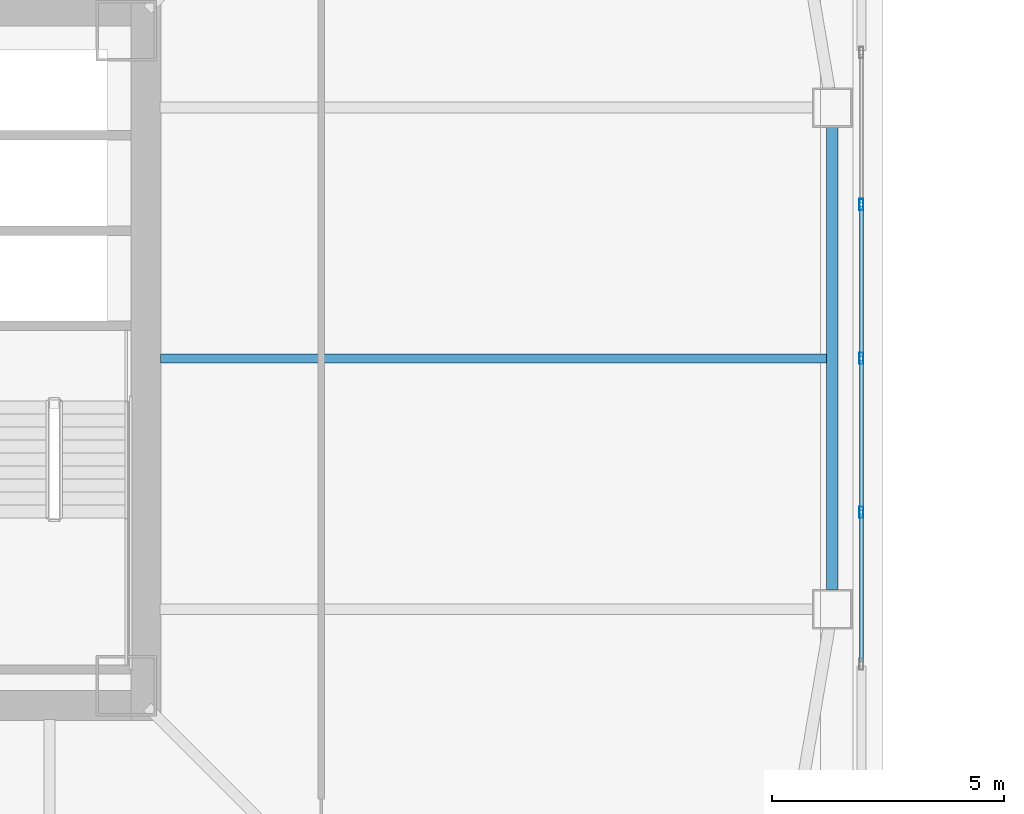
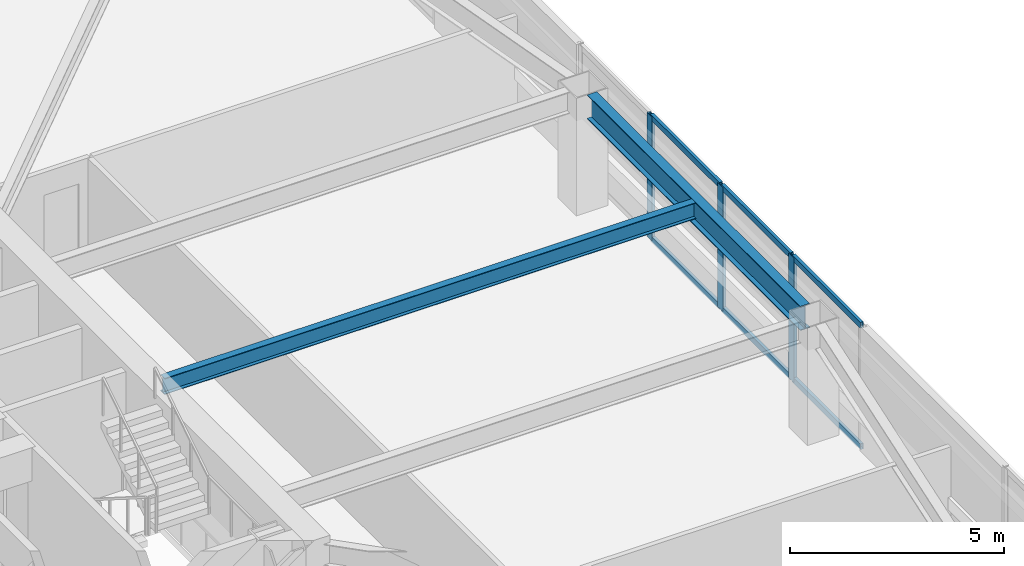
# One storey, part 10 of 47: 9 members, 2 beams, 1 element without a shape of its own.
"""IFC4 building model written with IfcOpenShell, lengths in metres."""

from ifc_helpers import new_model, si_unit, direction, frame, origin, origin_2d, place, context, subcontext, project, spatial, hollow_rectangle, i_section, extrude, material, material_profile, profile_set, type_object, element, aggregate, save


model = new_model("IFC4")

# Units and contexts
model_context = context("Model", 3, precision=1e-05, world=origin(), true_north=direction((0.0, 1.0)))
body_context = subcontext(model_context, "Body", "Model", "MODEL_VIEW")
ifc_project = project(units=[si_unit("LENGTHUNIT", "METRE"), si_unit("AREAUNIT", "SQUARE_METRE"), si_unit("VOLUMEUNIT", "CUBIC_METRE"), si_unit("PLANEANGLEUNIT", "RADIAN"), si_unit("MASSUNIT", "GRAM", prefix="KILO")], contexts=[model_context])

# Site, building, storey
site_placement = place(None, origin())
site = spatial("IfcSite", under=ifc_project, at=site_placement, CompositionType="ELEMENT")
building_placement = place(site_placement, origin())
building = spatial("IfcBuilding", under=site, at=building_placement, Name="Tashvorn Skyway Center", CompositionType="ELEMENT")
storey_placement = place(building_placement, frame((0.0, 0.0, 42.35009765625)))
storey = spatial("IfcBuildingStorey", under=building, at=storey_placement, Name="L10", CompositionType="ELEMENT", Elevation=42.35009765625)

# Beams
ifc_material_1 = material(Name="Steel ASTM A992 Grade 50", Category="steel")
ifc_material_profile_1 = material_profile(ifc_material_1, i_section(OverallWidth=0.19091796875, OverallDepth=0.4599609375, WebThickness=0.010009765625, FlangeThickness=0.01611328125, at=origin_2d()), Name="W18X55")
ifc_profile_set_1 = profile_set([ifc_material_profile_1], Name="Steel ASTM A992 Grade 50")
beam_type_1 = type_object("IfcBeamType", Name="BM-JOIST-W18X55", PredefinedType="JOIST", material=ifc_profile_set_1)
beam_1_placement = place(storey_placement, frame((49.7900390625, 32.0, 3.119873046875), z_axis=(1.0, 0.0, 0.0), x_axis=(0.0, 1.0, 0.0)))
element("IfcBeam", 1, at=beam_1_placement, inside=storey, type_object=beam_type_1, Name="Tower 1 L10 Secondary Composite Joist JE", PredefinedType="JOIST", context=body_context, shape_type="SweptSolid", body=[
    extrude(i_section(OverallWidth=0.19091796875, OverallDepth=0.4599609375, WebThickness=0.010009765625, FlangeThickness=0.01611328125, at=origin_2d()), origin(), (0.0, 0.0, 1.0), 14.33984375),
])
ifc_material_profile_2 = material_profile(ifc_material_1, i_section(OverallWidth=0.256103515625, OverallDepth=0.693115234375, WebThickness=0.014404296875, FlangeThickness=0.023681640625, at=origin_2d()), Name="W27X114")
ifc_profile_set_2 = profile_set([ifc_material_profile_2], Name="Steel ASTM A992 Grade 50")
beam_type_2 = type_object("IfcBeamType", Name="BM-SPANDREL-W27X114", PredefinedType="SPANDREL", material=ifc_profile_set_2)
beam_2_placement = place(storey_placement, frame((64.25, 27.02001953125, 3.00341796875), z_axis=(0.0, 1.0, 0.0), x_axis=(-1.0, 0.0, 0.0)))
element("IfcBeam", 2, at=beam_2_placement, inside=storey, type_object=beam_type_2, Name="Tower 1 L10 Spandrel Beam 05", PredefinedType="SPANDREL", context=body_context, shape_type="SweptSolid", body=[
    extrude(i_section(OverallWidth=0.256103515625, OverallDepth=0.693115234375, WebThickness=0.014404296875, FlangeThickness=0.023681640625, at=origin_2d()), origin(), (0.0, 0.0, 1.0), 9.9599609375),
])

# Curtain wall, members
ifc_material_2 = material(Name="Thermally broken bronze-anodized aluminium 6063-T6", Category="aluminium")
curtain_wall_type = type_object("IfcCurtainWallType", Name="CW-CW-Z1", PredefinedType="NOTDEFINED", material=ifc_material_2)
curtain_wall_placement = place(storey_placement, origin())
curtain_wall = element("IfcCurtainWall", 3, at=curtain_wall_placement, inside=storey, type_object=curtain_wall_type, Name="Tower 1 L10 East Unitised Curtain Wall Glazing Group 2", PredefinedType="NOTDEFINED")
ifc_material_profile_3 = material_profile(ifc_material_2, hollow_rectangle(XDim=0.0849609375, YDim=0.239990234375, WallThickness=0.0048828125, at=origin_2d()), Name="ALU-MULL-85x240")
ifc_profile_set_3 = profile_set([ifc_material_profile_3], Name="Thermally broken bronze-anodized aluminium 6063-T6")
member_type_1 = type_object("IfcMemberType", Name="CWM-CW-Z1", PredefinedType="MULLION", material=ifc_profile_set_3)
member_1_placement = place(storey_placement, frame((64.8798828125, 35.313232421875, 0.0), z_axis=(0.0, 0.0, 1.0), x_axis=(1.0, 0.0, 0.0)))
member_1 = element("IfcMember", 4, at=member_1_placement, type_object=member_type_1, Name="CW-Z1 mullion 2", PredefinedType="MULLION", context=body_context, shape_type="SweptSolid", body=[
    extrude(hollow_rectangle(XDim=0.0849609375, YDim=0.239990234375, WallThickness=0.0048828125, at=origin_2d()), origin(), (0.0, 0.0, 1.0), 3.5498046875),
])
member_2_placement = place(storey_placement, frame((64.8798828125, 32.0, 0.0), z_axis=(0.0, 0.0, 1.0), x_axis=(1.0, 0.0, 0.0)))
member_2 = element("IfcMember", 5, at=member_2_placement, type_object=member_type_1, Name="CW-Z1 mullion 3", PredefinedType="MULLION", context=body_context, shape_type="SweptSolid", body=[
    extrude(hollow_rectangle(XDim=0.0849609375, YDim=0.239990234375, WallThickness=0.0048828125, at=origin_2d()), origin(), (0.0, 0.0, 1.0), 3.5498046875),
])
member_3_placement = place(storey_placement, frame((64.8798828125, 28.686767578125, 0.0), z_axis=(0.0, 0.0, 1.0), x_axis=(1.0, 0.0, 0.0)))
member_3 = element("IfcMember", 6, at=member_3_placement, type_object=member_type_1, Name="CW-Z1 mullion 4", PredefinedType="MULLION", context=body_context, shape_type="SweptSolid", body=[
    extrude(hollow_rectangle(XDim=0.0849609375, YDim=0.239990234375, WallThickness=0.0048828125, at=origin_2d()), origin(), (0.0, 0.0, 1.0), 3.5498046875),
])
ifc_material_profile_4 = material_profile(ifc_material_2, hollow_rectangle(XDim=0.0849609375, YDim=0.1650390625, WallThickness=0.0048828125, at=origin_2d()), Name="ALU-TRAN-85x165")
ifc_profile_set_4 = profile_set([ifc_material_profile_4], Name="Thermally broken bronze-anodized aluminium 6063-T6")
member_type_2 = type_object("IfcMemberType", Name="CWT-CW-Z1", PredefinedType="USERDEFINED", material=ifc_profile_set_4)
member_4_placement = place(storey_placement, frame((64.8798828125, 35.270751953125, 0.04248046875), z_axis=(0.0, -1.0, 0.0), x_axis=(1.0, 0.0, 0.0)))
member_4 = element("IfcMember", 7, at=member_4_placement, type_object=member_type_2, Name="CW-Z1 transom 2.1", ObjectType="TRANSOM", PredefinedType="USERDEFINED", context=body_context, shape_type="SweptSolid", body=[
    extrude(hollow_rectangle(XDim=0.0849609375, YDim=0.1650390625, WallThickness=0.0048828125, at=origin_2d()), origin(), (0.0, 0.0, 1.0), 3.228271484375),
])
member_5_placement = place(storey_placement, frame((64.8798828125, 35.270751953125, 3.50732421875), z_axis=(0.0, -1.0, 0.0), x_axis=(1.0, 0.0, 0.0)))
member_5 = element("IfcMember", 8, at=member_5_placement, type_object=member_type_2, Name="CW-Z1 transom 2.2", ObjectType="TRANSOM", PredefinedType="USERDEFINED", context=body_context, shape_type="SweptSolid", body=[
    extrude(hollow_rectangle(XDim=0.0849609375, YDim=0.1650390625, WallThickness=0.0048828125, at=origin_2d()), origin(), (0.0, 0.0, 1.0), 3.228271484375),
])
member_6_placement = place(storey_placement, frame((64.8798828125, 31.95751953125, 0.04248046875), z_axis=(0.0, -1.0, 0.0), x_axis=(1.0, 0.0, 0.0)))
member_6 = element("IfcMember", 9, at=member_6_placement, type_object=member_type_2, Name="CW-Z1 transom 3.1", ObjectType="TRANSOM", PredefinedType="USERDEFINED", context=body_context, shape_type="SweptSolid", body=[
    extrude(hollow_rectangle(XDim=0.0849609375, YDim=0.1650390625, WallThickness=0.0048828125, at=origin_2d()), origin(), (0.0, 0.0, 1.0), 3.228271484375),
])
member_7_placement = place(storey_placement, frame((64.8798828125, 31.95751953125, 3.50732421875), z_axis=(0.0, -1.0, 0.0), x_axis=(1.0, 0.0, 0.0)))
member_7 = element("IfcMember", 10, at=member_7_placement, type_object=member_type_2, Name="CW-Z1 transom 3.2", ObjectType="TRANSOM", PredefinedType="USERDEFINED", context=body_context, shape_type="SweptSolid", body=[
    extrude(hollow_rectangle(XDim=0.0849609375, YDim=0.1650390625, WallThickness=0.0048828125, at=origin_2d()), origin(), (0.0, 0.0, 1.0), 3.228271484375),
])
member_8_placement = place(storey_placement, frame((64.8798828125, 28.64404296875, 0.04248046875), z_axis=(0.0, -1.0, 0.0), x_axis=(1.0, 0.0, 0.0)))
member_8 = element("IfcMember", 11, at=member_8_placement, type_object=member_type_2, Name="CW-Z1 transom 4.1", ObjectType="TRANSOM", PredefinedType="USERDEFINED", context=body_context, shape_type="SweptSolid", body=[
    extrude(hollow_rectangle(XDim=0.0849609375, YDim=0.1650390625, WallThickness=0.0048828125, at=origin_2d()), origin(), (0.0, 0.0, 1.0), 3.185791015625),
])
member_9_placement = place(storey_placement, frame((64.8798828125, 28.64404296875, 3.50732421875), z_axis=(0.0, -1.0, 0.0), x_axis=(1.0, 0.0, 0.0)))
member_9 = element("IfcMember", 12, at=member_9_placement, type_object=member_type_2, Name="CW-Z1 transom 4.2", ObjectType="TRANSOM", PredefinedType="USERDEFINED", context=body_context, shape_type="SweptSolid", body=[
    extrude(hollow_rectangle(XDim=0.0849609375, YDim=0.1650390625, WallThickness=0.0048828125, at=origin_2d()), origin(), (0.0, 0.0, 1.0), 3.185791015625),
])
aggregate(curtain_wall, [member_1, member_2, member_3, member_4, member_5, member_6, member_7, member_8, member_9])

save(model, "model.ifc")
